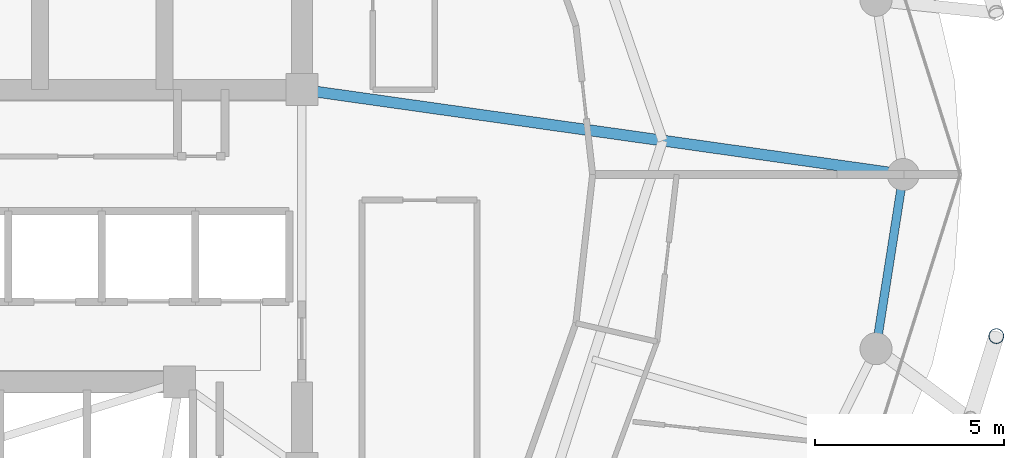
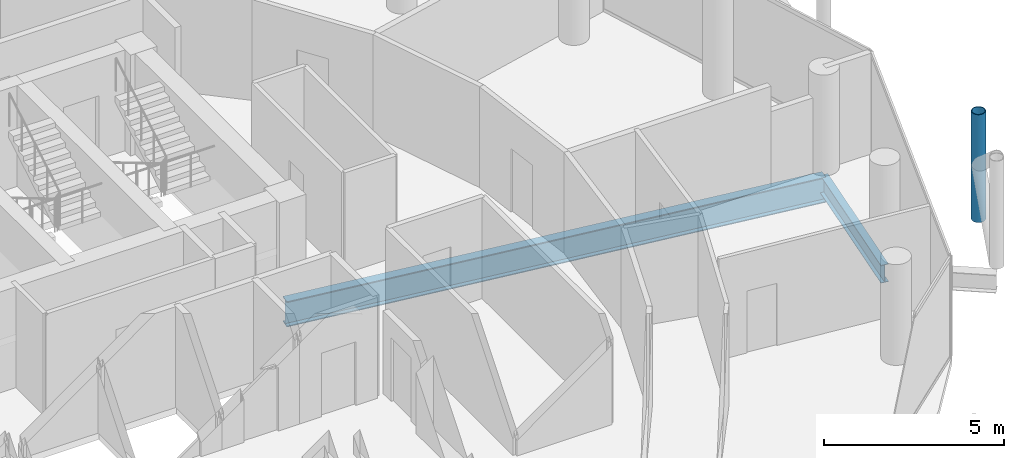
# One storey, part 14 of 27: 2 beams, 1 member.
"""IFC4 building model written with IfcOpenShell, lengths in metres."""

from ifc_helpers import new_model, si_unit, direction, frame, origin, origin_2d, place, context, subcontext, project, spatial, hollow_circle, i_section, extrude, material, material_profile, profile_set, type_object, element, save


model = new_model("IFC4")

# Units and contexts
model_context = context("Model", 3, precision=1e-05, world=origin(), true_north=direction((0.0, 1.0)))
body_context = subcontext(model_context, "Body", "Model", "MODEL_VIEW")
ifc_project = project(units=[si_unit("LENGTHUNIT", "METRE"), si_unit("AREAUNIT", "SQUARE_METRE"), si_unit("VOLUMEUNIT", "CUBIC_METRE"), si_unit("PLANEANGLEUNIT", "RADIAN"), si_unit("MASSUNIT", "GRAM", prefix="KILO")], contexts=[model_context])

# Site, building, storey
site_placement = place(None, origin())
site = spatial("IfcSite", under=ifc_project, at=site_placement, CompositionType="ELEMENT")
building_placement = place(site_placement, origin())
building = spatial("IfcBuilding", under=site, at=building_placement, Name="Nuhasar Tower", CompositionType="ELEMENT")
storey_placement = place(building_placement, frame((0.0, 0.0, 219.10009765625)))
storey = spatial("IfcBuildingStorey", under=building, at=storey_placement, Name="L53", CompositionType="ELEMENT", Elevation=219.10009765625)

# Beams
ifc_material_1 = material(Name="Steel S355", Category="steel")
ifc_material_profile_1 = material_profile(ifc_material_1, i_section(OverallWidth=0.2919921875, OverallDepth=0.85888671875, WebThickness=0.01708984375, FlangeThickness=0.031005859375, at=origin_2d()), Name="W33X169")
ifc_profile_set_1 = profile_set([ifc_material_profile_1], Name="Steel S355")
beam_type_1 = type_object("IfcBeamType", Name="BM-POD-W33X169", PredefinedType="BEAM", material=ifc_profile_set_1)
beam_1_placement = place(storey_placement, frame((44.300048828125, 29.050048828125, -0.669189453125), z_axis=(0.990196233464, -0.139683281866, 0.0), x_axis=(0.139683281866, 0.990196233464, 0.0)))
element("IfcBeam", 1, at=beam_1_placement, inside=storey, type_object=beam_type_1, Name="L53 Radial Floor Girder 04", PredefinedType="BEAM", context=body_context, shape_type="SweptSolid", body=[
    extrude(i_section(OverallWidth=0.2919921875, OverallDepth=0.85888671875, WebThickness=0.01708984375, FlangeThickness=0.031005859375, at=origin_2d()), origin(), (0.0, 0.0, 1.0), 16.10791015625),
])
ifc_material_profile_2 = material_profile(ifc_material_1, i_section(OverallWidth=0.22802734375, OverallDepth=0.60791015625, WebThickness=0.01123046875, FlangeThickness=0.017333984375, at=origin_2d()), Name="W24X76")
ifc_profile_set_2 = profile_set([ifc_material_profile_2], Name="Steel S355")
beam_type_2 = type_object("IfcBeamType", Name="BM-RING-W24X76", PredefinedType="SPANDREL", material=ifc_profile_set_2)
beam_2_placement = place(storey_placement, frame((59.52587890625, 22.179931640625, -0.544189453125), z_axis=(0.154841886404, 0.987939264436, 0.0), x_axis=(-0.987939264436, 0.154841886404, 0.0)))
element("IfcBeam", 2, at=beam_2_placement, inside=storey, type_object=beam_type_2, Name="L53 Perimeter Ring Spandrel 24", PredefinedType="SPANDREL", context=body_context, shape_type="SweptSolid", body=[
    extrude(i_section(OverallWidth=0.22802734375, OverallDepth=0.60791015625, WebThickness=0.01123046875, FlangeThickness=0.017333984375, at=origin_2d()), origin(), (0.0, 0.0, 1.0), 4.676513671875),
])

# Member
ifc_material_2 = material(Name="Steel S460", Category="steel")
ifc_material_profile_3 = material_profile(ifc_material_2, hollow_circle(Radius=0.203125, WallThickness=0.01904296875, at=origin_2d()), Name="HSS406.4X19.1")
ifc_profile_set_3 = profile_set([ifc_material_profile_3], Name="Steel S460")
member_type = type_object("IfcMemberType", Name="EXO-BRONZE-406", PredefinedType="BRACE", material=ifc_profile_set_3)
member_placement = place(storey_placement, frame((62.718017578125, 22.513916015625, 0.0), z_axis=(0.0, 0.0, 1.0), x_axis=(1.0, 0.0, 0.0)))
element("IfcMember", 3, at=member_placement, inside=storey, type_object=member_type, Name="L53 Exoskeleton Chord Column EC-12B", PredefinedType="BRACE", context=body_context, shape_type="SweptSolid", body=[
    extrude(hollow_circle(Radius=0.203125, WallThickness=0.01904296875, at=origin_2d()), origin(), (0.0, 0.0, 1.0), 3.64990234375),
])

save(model, "model.ifc")
